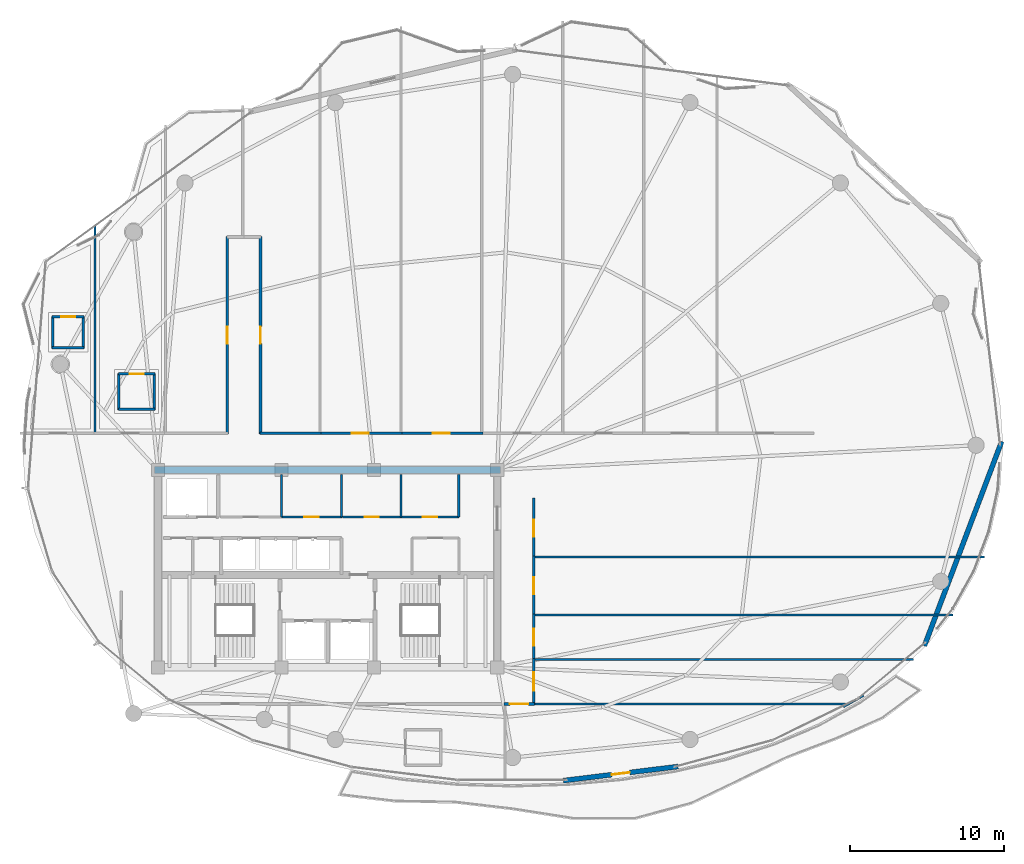
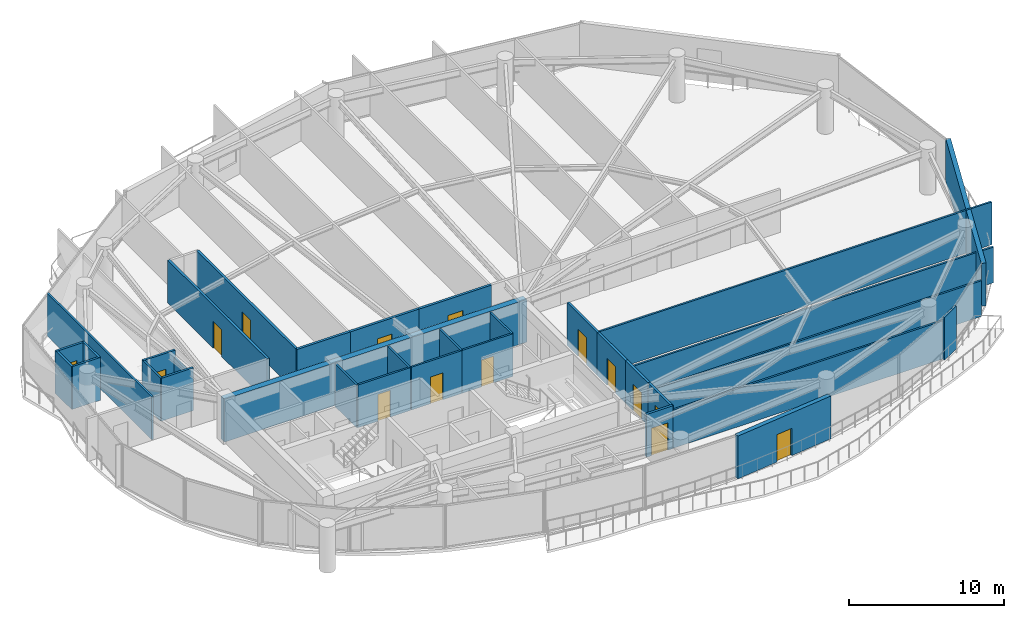
# One storey, part 26 of 31: 34 walls, 15 doors, 15 openings.
"""IFC4 building model written with IfcOpenShell, lengths in metres."""

from ifc_helpers import new_model, si_unit, direction, frame, frame_2d, origin, place, context, subcontext, project, spatial, rectangle, extrude, material, layer, layer_set, type_object, element, fill, save


model = new_model("IFC4")

# Units and contexts
model_context = context("Model", 3, precision=1e-05, world=origin(), true_north=direction((0.0, 1.0)))
body_context = subcontext(model_context, "Body", "Model", "MODEL_VIEW")
ifc_project = project(units=[si_unit("LENGTHUNIT", "METRE"), si_unit("AREAUNIT", "SQUARE_METRE"), si_unit("VOLUMEUNIT", "CUBIC_METRE"), si_unit("PLANEANGLEUNIT", "RADIAN"), si_unit("MASSUNIT", "GRAM", prefix="KILO")], contexts=[model_context])

# Site, building, storey
site_placement = place(None, origin())
site = spatial("IfcSite", under=ifc_project, at=site_placement, CompositionType="ELEMENT")
building_placement = place(site_placement, origin())
building = spatial("IfcBuilding", under=site, at=building_placement, Name="Kazevale Care Tower and Concert Hall", CompositionType="ELEMENT")
storey_placement = place(building_placement, frame((0.0, 0.0, 235.199951171875)))
storey = spatial("IfcBuildingStorey", under=building, at=storey_placement, Name="L62", CompositionType="ELEMENT", Elevation=235.199951171875)

# Wall, opening, door
ifc_material_1 = material(Name="Acoustic Gypsum on Steel Stud", Category="steel")
ifc_layer_1 = layer(ifc_material_1, 0.139892578125)
ifc_layer_set_1 = layer_set([ifc_layer_1], Name="Acoustic Gypsum on Steel Stud")
wall_type_1 = type_object("IfcWallType", Name="Acoustic Care & Suite Partition 140", PredefinedType="PARTITIONING", material=ifc_layer_set_1)
wall_1_placement = place(storey_placement, frame((30.0, 33.35009765625, 0.0), z_axis=(0.0, 0.0, 1.0), x_axis=(1.0, 0.0, 0.0)))
wall_1 = element("IfcWall", 1, at=wall_1_placement, inside=storey, type_object=wall_type_1, Name="wall:L62:c_rpl2_s", PredefinedType="PARTITIONING", context=body_context, shape_type="SweptSolid", body=[
    extrude(rectangle(XDim=3.919921875, YDim=0.139892578125, at=frame_2d((1.9599609375, 0.0))), origin(), (0.0, 0.0, 1.0), 3.360107421875),
])
opening_1_placement = place(wall_1_placement, frame((1.5, 0.0, 0.0)))
opening_1 = element("IfcOpeningElement", 2, at=opening_1_placement, cuts=wall_1, Name="Opening ID-900", PredefinedType="OPENING", context=body_context, shape_type="SweptSolid", body=[
    extrude(rectangle(XDim=0.919921875, YDim=2.10009765625, at=frame_2d((0.4599609375, 1.050048828125))), frame((0.0, 0.079833984375, 0.0), z_axis=(0.0, -1.0, 0.0), x_axis=(1.0, 0.0, 0.0)), (0.0, 0.0, 1.0), 0.159912109375),
])
ifc_material_2 = material(Name="Oak Timber Fire Leaf", Category="wood")
door_type_1 = type_object("IfcDoorType", Name="Bathroom & Service Door 920x2100", OperationType="NOTDEFINED", PredefinedType="DOOR", material=ifc_material_2)
door_1_placement = place(opening_1_placement, origin())
door_1 = element("IfcDoor", 3, at=door_1_placement, inside=storey, type_object=door_type_1, Name="door:L62:d_rpl2", OperationType="SINGLE_SWING_RIGHT", OverallHeight=2.10009765625, OverallWidth=0.919921875, PredefinedType="DOOR", context=body_context, shape_type="SweptSolid", body=[
    extrude(rectangle(XDim=0.919921875, YDim=2.10009765625, at=frame_2d((0.4599609375, 1.050048828125))), frame((0.0, 0.02490234375, 0.0), z_axis=(0.0, -1.0, 0.0), x_axis=(1.0, 0.0, 0.0)), (0.0, 0.0, 1.0), 0.050048828125),
])
fill(opening_1, door_1)

# Walls
for number, where, z_axis, x_axis, name in (
    (4, (30.0, 33.35009765625, 0.0), (0.0, 0.0, 1.0), (0.0, 1.0, 0.0), "wall:L62:c_rpl_m"),
    (5, (33.89990234375, 33.35009765625, 0.0), (0.0, 0.0, 1.0), (0.0, 1.0, 0.0), "wall:L62:c_rpl_e"),
):
    element("IfcWall", number, at=place(storey_placement, frame(where, z_axis=z_axis, x_axis=x_axis)), inside=storey, type_object=wall_type_1, Name=name, PredefinedType="PARTITIONING", context=body_context, shape_type="SweptSolid", body=[
        extrude(rectangle(XDim=2.75, YDim=0.139892578125, at=frame_2d((1.375, 0.0))), origin(), (0.0, 0.0, 1.0), 3.360107421875),
    ])

# Wall, opening, door
wall_2_placement = place(storey_placement, frame((33.97998046875, 33.35009765625, 0.0), z_axis=(0.0, 0.0, 1.0), x_axis=(1.0, 0.0, 0.0)))
wall_2 = element("IfcWall", 6, at=wall_2_placement, inside=storey, type_object=wall_type_1, Name="wall:L62:c_rpm1_s", PredefinedType="PARTITIONING", context=body_context, shape_type="SweptSolid", body=[
    extrude(rectangle(XDim=3.77001953125, YDim=0.139892578125, at=frame_2d((1.885009765625, 0.0))), origin(), (0.0, 0.0, 1.0), 3.360107421875),
])
opening_2_placement = place(wall_2_placement, frame((1.425048828125, 0.0, 0.0)))
opening_2 = element("IfcOpeningElement", 7, at=opening_2_placement, cuts=wall_2, Name="Opening ID-900", PredefinedType="OPENING", context=body_context, shape_type="SweptSolid", body=[
    extrude(rectangle(XDim=0.919921875, YDim=2.10009765625, at=frame_2d((0.4599609375, 1.050048828125))), frame((0.0, 0.079833984375, 0.0), z_axis=(0.0, -1.0, 0.0), x_axis=(1.0, 0.0, 0.0)), (0.0, 0.0, 1.0), 0.159912109375),
])
door_2_placement = place(opening_2_placement, origin())
door_2 = element("IfcDoor", 8, at=door_2_placement, inside=storey, type_object=door_type_1, Name="door:L62:d_rpm1", OperationType="SINGLE_SWING_LEFT", OverallHeight=2.10009765625, OverallWidth=0.919921875, PredefinedType="DOOR", context=body_context, shape_type="SweptSolid", body=[
    extrude(rectangle(XDim=0.919921875, YDim=2.10009765625, at=frame_2d((0.4599609375, 1.050048828125))), frame((0.0, 0.02490234375, 0.0), z_axis=(0.0, -1.0, 0.0), x_axis=(1.0, 0.0, 0.0)), (0.0, 0.0, 1.0), 0.050048828125),
])
fill(opening_2, door_2)

wall_3_placement = place(storey_placement, frame((37.75, 33.35009765625, 0.0), z_axis=(0.0, 0.0, 1.0), x_axis=(1.0, 0.0, 0.0)))
wall_3 = element("IfcWall", 9, at=wall_3_placement, inside=storey, type_object=wall_type_1, Name="wall:L62:c_rpm2_s", PredefinedType="PARTITIONING", context=body_context, shape_type="SweptSolid", body=[
    extrude(rectangle(XDim=3.77001953125, YDim=0.139892578125, at=frame_2d((1.885009765625, 0.0))), origin(), (0.0, 0.0, 1.0), 3.360107421875),
])
opening_3_placement = place(wall_3_placement, frame((1.425048828125, 0.0, 0.0)))
opening_3 = element("IfcOpeningElement", 10, at=opening_3_placement, cuts=wall_3, Name="Opening ID-900", PredefinedType="OPENING", context=body_context, shape_type="SweptSolid", body=[
    extrude(rectangle(XDim=0.919921875, YDim=2.10009765625, at=frame_2d((0.4599609375, 1.050048828125))), frame((0.0, 0.079833984375, 0.0), z_axis=(0.0, -1.0, 0.0), x_axis=(1.0, 0.0, 0.0)), (0.0, 0.0, 1.0), 0.159912109375),
])
door_3_placement = place(opening_3_placement, origin())
door_3 = element("IfcDoor", 11, at=door_3_placement, inside=storey, type_object=door_type_1, Name="door:L62:d_rpm2", OperationType="SINGLE_SWING_RIGHT", OverallHeight=2.10009765625, OverallWidth=0.919921875, PredefinedType="DOOR", context=body_context, shape_type="SweptSolid", body=[
    extrude(rectangle(XDim=0.919921875, YDim=2.10009765625, at=frame_2d((0.4599609375, 1.050048828125))), frame((0.0, 0.02490234375, 0.0), z_axis=(0.0, -1.0, 0.0), x_axis=(1.0, 0.0, 0.0)), (0.0, 0.0, 1.0), 0.050048828125),
])
fill(opening_3, door_3)

# Walls
for number, where, z_axis, x_axis, name in (
    (12, (37.75, 33.35009765625, 0.0), (0.0, 0.0, 1.0), (0.0, 1.0, 0.0), "wall:L62:c_rpm_m"),
    (13, (41.5, 33.35009765625, 0.0), (0.0, 0.0, 1.0), (0.0, 1.0, 0.0), "wall:L62:c_rpm_e"),
):
    element("IfcWall", number, at=place(storey_placement, frame(where, z_axis=z_axis, x_axis=x_axis)), inside=storey, type_object=wall_type_1, Name=name, PredefinedType="PARTITIONING", context=body_context, shape_type="SweptSolid", body=[
        extrude(rectangle(XDim=2.75, YDim=0.139892578125, at=frame_2d((1.375, 0.0))), origin(), (0.0, 0.0, 1.0), 3.360107421875),
    ])
wall_4_placement = place(storey_placement, frame((17.919921875, 52.222412109375, 0.0), z_axis=(0.0, 0.0, 1.0), x_axis=(0.0, -1.0, 0.0)))
element("IfcWall", 14, at=wall_4_placement, inside=storey, type_object=wall_type_1, Name="wall:L62:auto_023", PredefinedType="PARTITIONING", context=body_context, shape_type="SweptSolid", body=[
    extrude(rectangle(XDim=13.477294921875, YDim=0.139892578125, at=frame_2d((6.73876953125, 0.0))), origin(), (0.0, 0.0, 1.0), 3.360107421875),
])
wall_5_placement = place(storey_placement, frame((46.344970703125, 24.110107421875, 0.0), z_axis=(0.0, 0.0, 1.0), x_axis=(1.0, 0.0, 0.0)))
element("IfcWall", 15, at=wall_5_placement, inside=storey, type_object=wall_type_1, Name="wall:L62:auto_032", PredefinedType="PARTITIONING", context=body_context, shape_type="SweptSolid", body=[
    extrude(rectangle(XDim=24.655029296875, YDim=0.139892578125, at=frame_2d((12.32763671875, 0.0))), origin(), (0.0, 0.0, 1.0), 2.80615234375),
])
wall_6_placement = place(storey_placement, frame((66.683837890625, 21.22509765625, 0.0), z_axis=(0.0, 0.0, 1.0), x_axis=(-1.0, 0.0, 0.0)))
element("IfcWall", 16, at=wall_6_placement, inside=storey, type_object=wall_type_1, Name="wall:L62:auto_033", PredefinedType="PARTITIONING", context=body_context, shape_type="SweptSolid", body=[
    extrude(rectangle(XDim=20.3388671875, YDim=0.139892578125, at=frame_2d((10.16943359375, 0.0))), origin(), (0.0, 0.0, 1.0), 2.99609375),
])
wall_7_placement = place(storey_placement, frame((67.748046875, 21.77001953125, 0.0), z_axis=(0.0, 0.0, 1.0), x_axis=(-0.871352238731, -0.490658003153, 0.0)))
element("IfcWall", 17, at=wall_7_placement, inside=storey, type_object=wall_type_1, Name="wall:L62:auto_034", PredefinedType="PARTITIONING", context=body_context, shape_type="SweptSolid", body=[
    extrude(rectangle(XDim=1.48974609375, YDim=0.139892578125, at=frame_2d((0.744873046875, 0.0))), origin(), (0.0, 0.0, 1.0), 3.360107421875),
])
wall_8_placement = place(storey_placement, frame((46.344970703125, 27.0, 0.0), z_axis=(0.0, 0.0, 1.0), x_axis=(1.0, 0.0, 0.0)))
element("IfcWall", 18, at=wall_8_placement, inside=storey, type_object=wall_type_1, Name="wall:L62:auto_035", PredefinedType="PARTITIONING", context=body_context, shape_type="SweptSolid", body=[
    extrude(rectangle(XDim=27.208984375, YDim=0.139892578125, at=frame_2d((13.6044921875, 0.0))), origin(), (0.0, 0.0, 1.0), 2.80615234375),
])
wall_9_placement = place(storey_placement, frame((46.344970703125, 30.75, 0.0), z_axis=(0.0, 0.0, 1.0), x_axis=(1.0, 0.0, 0.0)))
element("IfcWall", 19, at=wall_9_placement, inside=storey, type_object=wall_type_1, Name="wall:L62:auto_036", PredefinedType="PARTITIONING", context=body_context, shape_type="SweptSolid", body=[
    extrude(rectangle(XDim=29.237060546875, YDim=0.139892578125, at=frame_2d((14.61865234375, 0.0))), origin(), (0.0, 0.0, 1.0), 3.360107421875),
])
ifc_material_3 = material(Name="Concrete C50", Category="concrete")
ifc_layer_2 = layer(ifc_material_3, 0.449951171875)
ifc_layer_set_2 = layer_set([ifc_layer_2], Name="Concrete C50")
wall_type_2 = type_object("IfcWallType", Name="Core Shear Wall 450 C50", PredefinedType="SHEAR", material=ifc_layer_set_2)
wall_10_placement = place(storey_placement, frame((21.77490234375, 36.39990234375, 0.0), z_axis=(0.0, 0.0, 1.0), x_axis=(1.0, 0.0, 0.0)))
element("IfcWall", 20, at=wall_10_placement, inside=storey, type_object=wall_type_2, Name="wall:L62:core:N", PredefinedType="SHEAR", context=body_context, shape_type="SweptSolid", body=[
    extrude(rectangle(XDim=22.4501953125, YDim=0.449951171875, at=frame_2d((11.22509765625, 0.0))), origin(), (0.0, 0.0, 1.0), 3.360107421875),
])

# Wall, opening, door
ifc_material_4 = material(Name="Concrete C40 and Acoustic Gypsum", Category="concrete")
ifc_layer_3 = layer(ifc_material_4, 0.179931640625)
ifc_layer_set_3 = layer_set([ifc_layer_3], Name="Concrete C40 and Acoustic Gypsum")
wall_type_3 = type_object("IfcWallType", Name="Fire-Rated Corridor & Party Wall 180", PredefinedType="PARTITIONING", material=ifc_layer_set_3)
wall_11_placement = place(storey_placement, frame((26.5, 38.7451171875, 0.0), z_axis=(0.0, 0.0, 1.0), x_axis=(0.0, 1.0, 0.0)))
wall_11 = element("IfcWall", 21, at=wall_11_placement, inside=storey, type_object=wall_type_3, Name="wall:L62:auto_003", PredefinedType="PARTITIONING", context=body_context, shape_type="SweptSolid", body=[
    extrude(rectangle(XDim=12.784912109375, YDim=0.179931640625, at=frame_2d((6.392578125, 0.0))), origin(), (0.0, 0.0, 1.0), 3.360107421875),
])
opening_4_placement = place(wall_11_placement, frame((5.843017578125, 0.0, 0.0)))
opening_4 = element("IfcOpeningElement", 22, at=opening_4_placement, cuts=wall_11, Name="Opening ID-1100", PredefinedType="OPENING", context=body_context, shape_type="SweptSolid", body=[
    extrude(rectangle(XDim=1.10009765625, YDim=2.10009765625, at=frame_2d((0.550048828125, 1.050048828125))), frame((0.0, 0.099853515625, 0.0), z_axis=(0.0, -1.0, 0.0), x_axis=(1.0, 0.0, 0.0)), (0.0, 0.0, 1.0), 0.199951171875),
])
door_type_2 = type_object("IfcDoorType", Name="Care Bedroom Accessible Door 1100x2100", OperationType="NOTDEFINED", PredefinedType="DOOR", material=ifc_material_2)
door_4_placement = place(opening_4_placement, origin())
door_4 = element("IfcDoor", 23, at=door_4_placement, inside=storey, type_object=door_type_2, Name="door:L62:ad_003", OperationType="SINGLE_SWING_LEFT", OverallHeight=2.10009765625, OverallWidth=1.10009765625, PredefinedType="DOOR", context=body_context, shape_type="SweptSolid", body=[
    extrude(rectangle(XDim=1.10009765625, YDim=2.10009765625, at=frame_2d((0.550048828125, 1.050048828125))), frame((0.0, 0.02490234375, 0.0), z_axis=(0.0, -1.0, 0.0), x_axis=(1.0, 0.0, 0.0)), (0.0, 0.0, 1.0), 0.050048828125),
])
fill(opening_4, door_4)

wall_12_placement = place(storey_placement, frame((28.64990234375, 51.530029296875, 0.0), z_axis=(0.0, 0.0, 1.0), x_axis=(0.0, -1.0, 0.0)))
wall_12 = element("IfcWall", 24, at=wall_12_placement, inside=storey, type_object=wall_type_3, Name="wall:L62:auto_006", PredefinedType="PARTITIONING", context=body_context, shape_type="SweptSolid", body=[
    extrude(rectangle(XDim=12.784912109375, YDim=0.179931640625, at=frame_2d((6.392578125, 0.0))), origin(), (0.0, 0.0, 1.0), 3.360107421875),
])
opening_5_placement = place(wall_12_placement, frame((5.843017578125, 0.0, 0.0)))
opening_5 = element("IfcOpeningElement", 25, at=opening_5_placement, cuts=wall_12, Name="Opening ID-1100", PredefinedType="OPENING", context=body_context, shape_type="SweptSolid", body=[
    extrude(rectangle(XDim=1.10009765625, YDim=2.10009765625, at=frame_2d((0.550048828125, 1.050048828125))), frame((0.0, 0.099853515625, 0.0), z_axis=(0.0, -1.0, 0.0), x_axis=(1.0, 0.0, 0.0)), (0.0, 0.0, 1.0), 0.199951171875),
])
door_5_placement = place(opening_5_placement, origin())
door_5 = element("IfcDoor", 26, at=door_5_placement, inside=storey, type_object=door_type_2, Name="door:L62:ad_006", OperationType="SINGLE_SWING_LEFT", OverallHeight=2.10009765625, OverallWidth=1.10009765625, PredefinedType="DOOR", context=body_context, shape_type="SweptSolid", body=[
    extrude(rectangle(XDim=1.10009765625, YDim=2.10009765625, at=frame_2d((0.550048828125, 1.050048828125))), frame((0.0, 0.02490234375, 0.0), z_axis=(0.0, -1.0, 0.0), x_axis=(1.0, 0.0, 0.0)), (0.0, 0.0, 1.0), 0.050048828125),
])
fill(opening_5, door_5)

# Wall
wall_13_placement = place(storey_placement, frame((28.6201171875, 38.77490234375, 0.0), z_axis=(0.0, 0.0, 1.0), x_axis=(1.0, 0.0, 0.0)))
element("IfcWall", 27, at=wall_13_placement, inside=storey, type_object=wall_type_3, Name="wall:L62:auto_007", PredefinedType="PARTITIONING", context=body_context, shape_type="SweptSolid", body=[
    extrude(rectangle(XDim=3.94482421875, YDim=0.179931640625, at=frame_2d((1.972412109375, 0.0))), origin(), (0.0, 0.0, 1.0), 3.360107421875),
])

# Wall, opening, door
wall_14_placement = place(storey_placement, frame((32.43505859375, 38.77490234375, 0.0), z_axis=(0.0, 0.0, 1.0), x_axis=(1.0, 0.0, 0.0)))
wall_14 = element("IfcWall", 28, at=wall_14_placement, inside=storey, type_object=wall_type_3, Name="wall:L62:auto_009", PredefinedType="PARTITIONING", context=body_context, shape_type="SweptSolid", body=[
    extrude(rectangle(XDim=5.3798828125, YDim=0.179931640625, at=frame_2d((2.68994140625, 0.0))), origin(), (0.0, 0.0, 1.0), 3.360107421875),
])
opening_6_placement = place(wall_14_placement, frame((2.139892578125, 0.0, 0.0)))
opening_6 = element("IfcOpeningElement", 29, at=opening_6_placement, cuts=wall_14, Name="Opening ID-1100", PredefinedType="OPENING", context=body_context, shape_type="SweptSolid", body=[
    extrude(rectangle(XDim=1.10009765625, YDim=2.10009765625, at=frame_2d((0.550048828125, 1.050048828125))), frame((0.0, 0.099853515625, 0.0), z_axis=(0.0, -1.0, 0.0), x_axis=(1.0, 0.0, 0.0)), (0.0, 0.0, 1.0), 0.199951171875),
])
door_6_placement = place(opening_6_placement, origin())
door_6 = element("IfcDoor", 30, at=door_6_placement, inside=storey, type_object=door_type_2, Name="door:L62:ad_009", OperationType="SINGLE_SWING_LEFT", OverallHeight=2.10009765625, OverallWidth=1.10009765625, PredefinedType="DOOR", context=body_context, shape_type="SweptSolid", body=[
    extrude(rectangle(XDim=1.10009765625, YDim=2.10009765625, at=frame_2d((0.550048828125, 1.050048828125))), frame((0.0, 0.02490234375, 0.0), z_axis=(0.0, -1.0, 0.0), x_axis=(1.0, 0.0, 0.0)), (0.0, 0.0, 1.0), 0.050048828125),
])
fill(opening_6, door_6)

wall_15_placement = place(storey_placement, frame((37.68505859375, 38.77490234375, 0.0), z_axis=(0.0, 0.0, 1.0), x_axis=(1.0, 0.0, 0.0)))
wall_15 = element("IfcWall", 31, at=wall_15_placement, inside=storey, type_object=wall_type_3, Name="wall:L62:auto_010", PredefinedType="PARTITIONING", context=body_context, shape_type="SweptSolid", body=[
    extrude(rectangle(XDim=5.3798828125, YDim=0.179931640625, at=frame_2d((2.68994140625, 0.0))), origin(), (0.0, 0.0, 1.0), 3.360107421875),
])
opening_7_placement = place(wall_15_placement, frame((2.139892578125, 0.0, 0.0)))
opening_7 = element("IfcOpeningElement", 32, at=opening_7_placement, cuts=wall_15, Name="Opening ID-1100", PredefinedType="OPENING", context=body_context, shape_type="SweptSolid", body=[
    extrude(rectangle(XDim=1.10009765625, YDim=2.10009765625, at=frame_2d((0.550048828125, 1.050048828125))), frame((0.0, 0.099853515625, 0.0), z_axis=(0.0, -1.0, 0.0), x_axis=(1.0, 0.0, 0.0)), (0.0, 0.0, 1.0), 0.199951171875),
])
door_7_placement = place(opening_7_placement, origin())
door_7 = element("IfcDoor", 33, at=door_7_placement, inside=storey, type_object=door_type_2, Name="door:L62:ad_010", OperationType="SINGLE_SWING_LEFT", OverallHeight=2.10009765625, OverallWidth=1.10009765625, PredefinedType="DOOR", context=body_context, shape_type="SweptSolid", body=[
    extrude(rectangle(XDim=1.10009765625, YDim=2.10009765625, at=frame_2d((0.550048828125, 1.050048828125))), frame((0.0, 0.02490234375, 0.0), z_axis=(0.0, -1.0, 0.0), x_axis=(1.0, 0.0, 0.0)), (0.0, 0.0, 1.0), 0.050048828125),
])
fill(opening_7, door_7)

wall_16_placement = place(storey_placement, frame((46.375, 24.175048828125, 0.0), z_axis=(0.0, 0.0, 1.0), x_axis=(0.0, -1.0, 0.0)))
wall_16 = element("IfcWall", 34, at=wall_16_placement, inside=storey, type_object=wall_type_3, Name="wall:L62:auto_015", PredefinedType="PARTITIONING", context=body_context, shape_type="SweptSolid", body=[
    extrude(rectangle(XDim=2.97998046875, YDim=0.179931640625, at=frame_2d((1.489990234375, 0.0))), origin(), (0.0, 0.0, 1.0), 3.360107421875),
])
opening_8_placement = place(wall_16_placement, frame((0.889892578125, 0.0, 0.0)))
opening_8 = element("IfcOpeningElement", 35, at=opening_8_placement, cuts=wall_16, Name="Opening ID-1200", PredefinedType="OPENING", context=body_context, shape_type="SweptSolid", body=[
    extrude(rectangle(XDim=1.199951171875, YDim=2.14990234375, at=frame_2d((0.60009765625, 1.074951171875))), frame((0.0, 0.099853515625, 0.0), z_axis=(0.0, -1.0, 0.0), x_axis=(1.0, 0.0, 0.0)), (0.0, 0.0, 1.0), 0.199951171875),
])
door_type_3 = type_object("IfcDoorType", Name="Clinical & Therapy Door 1200x2150", OperationType="NOTDEFINED", PredefinedType="DOOR", material=ifc_material_2)
door_8_placement = place(opening_8_placement, origin())
door_8 = element("IfcDoor", 36, at=door_8_placement, inside=storey, type_object=door_type_3, Name="door:L62:ad_015", OperationType="SINGLE_SWING_LEFT", OverallHeight=2.14990234375, OverallWidth=1.199951171875, PredefinedType="DOOR", context=body_context, shape_type="SweptSolid", body=[
    extrude(rectangle(XDim=1.199951171875, YDim=2.14990234375, at=frame_2d((0.60009765625, 1.074951171875))), frame((0.0, 0.02490234375, 0.0), z_axis=(0.0, -1.0, 0.0), x_axis=(1.0, 0.0, 0.0)), (0.0, 0.0, 1.0), 0.050048828125),
])
fill(opening_8, door_8)

wall_17_placement = place(storey_placement, frame((46.375, 27.06494140625, 0.0), z_axis=(0.0, 0.0, 1.0), x_axis=(0.0, -1.0, 0.0)))
wall_17 = element("IfcWall", 37, at=wall_17_placement, inside=storey, type_object=wall_type_3, Name="wall:L62:auto_016", PredefinedType="PARTITIONING", context=body_context, shape_type="SweptSolid", body=[
    extrude(rectangle(XDim=3.02001953125, YDim=0.179931640625, at=frame_2d((1.510009765625, 0.0))), origin(), (0.0, 0.0, 1.0), 3.360107421875),
])
opening_9_placement = place(wall_17_placement, frame((0.9599609375, 0.0, 0.0)))
opening_9 = element("IfcOpeningElement", 38, at=opening_9_placement, cuts=wall_17, Name="Opening ID-1100", PredefinedType="OPENING", context=body_context, shape_type="SweptSolid", body=[
    extrude(rectangle(XDim=1.10009765625, YDim=2.10009765625, at=frame_2d((0.550048828125, 1.050048828125))), frame((0.0, 0.099853515625, 0.0), z_axis=(0.0, -1.0, 0.0), x_axis=(1.0, 0.0, 0.0)), (0.0, 0.0, 1.0), 0.199951171875),
])
door_9_placement = place(opening_9_placement, origin())
door_9 = element("IfcDoor", 39, at=door_9_placement, inside=storey, type_object=door_type_2, Name="door:L62:ad_016", OperationType="SINGLE_SWING_LEFT", OverallHeight=2.10009765625, OverallWidth=1.10009765625, PredefinedType="DOOR", context=body_context, shape_type="SweptSolid", body=[
    extrude(rectangle(XDim=1.10009765625, YDim=2.10009765625, at=frame_2d((0.550048828125, 1.050048828125))), frame((0.0, 0.02490234375, 0.0), z_axis=(0.0, -1.0, 0.0), x_axis=(1.0, 0.0, 0.0)), (0.0, 0.0, 1.0), 0.050048828125),
])
fill(opening_9, door_9)

wall_18_placement = place(storey_placement, frame((46.375, 30.81494140625, 0.0), z_axis=(0.0, 0.0, 1.0), x_axis=(0.0, -1.0, 0.0)))
wall_18 = element("IfcWall", 40, at=wall_18_placement, inside=storey, type_object=wall_type_3, Name="wall:L62:auto_017", PredefinedType="PARTITIONING", context=body_context, shape_type="SweptSolid", body=[
    extrude(rectangle(XDim=3.8798828125, YDim=0.179931640625, at=frame_2d((1.93994140625, 0.0))), origin(), (0.0, 0.0, 1.0), 3.360107421875),
])
opening_10_placement = place(wall_18_placement, frame((1.389892578125, 0.0, 0.0)))
opening_10 = element("IfcOpeningElement", 41, at=opening_10_placement, cuts=wall_18, Name="Opening ID-1100", PredefinedType="OPENING", context=body_context, shape_type="SweptSolid", body=[
    extrude(rectangle(XDim=1.10009765625, YDim=2.10009765625, at=frame_2d((0.550048828125, 1.050048828125))), frame((0.0, 0.099853515625, 0.0), z_axis=(0.0, -1.0, 0.0), x_axis=(1.0, 0.0, 0.0)), (0.0, 0.0, 1.0), 0.199951171875),
])
door_10_placement = place(opening_10_placement, origin())
door_10 = element("IfcDoor", 42, at=door_10_placement, inside=storey, type_object=door_type_2, Name="door:L62:ad_017", OperationType="SINGLE_SWING_LEFT", OverallHeight=2.10009765625, OverallWidth=1.10009765625, PredefinedType="DOOR", context=body_context, shape_type="SweptSolid", body=[
    extrude(rectangle(XDim=1.10009765625, YDim=2.10009765625, at=frame_2d((0.550048828125, 1.050048828125))), frame((0.0, 0.02490234375, 0.0), z_axis=(0.0, -1.0, 0.0), x_axis=(1.0, 0.0, 0.0)), (0.0, 0.0, 1.0), 0.050048828125),
])
fill(opening_10, door_10)

wall_19_placement = place(storey_placement, frame((46.375, 34.56494140625, 0.0), z_axis=(0.0, 0.0, 1.0), x_axis=(0.0, -1.0, 0.0)))
wall_19 = element("IfcWall", 43, at=wall_19_placement, inside=storey, type_object=wall_type_3, Name="wall:L62:auto_018", PredefinedType="PARTITIONING", context=body_context, shape_type="SweptSolid", body=[
    extrude(rectangle(XDim=3.8798828125, YDim=0.179931640625, at=frame_2d((1.93994140625, 0.0))), origin(), (0.0, 0.0, 1.0), 3.360107421875),
])
opening_11_placement = place(wall_19_placement, frame((1.389892578125, 0.0, 0.0)))
opening_11 = element("IfcOpeningElement", 44, at=opening_11_placement, cuts=wall_19, Name="Opening ID-1100", PredefinedType="OPENING", context=body_context, shape_type="SweptSolid", body=[
    extrude(rectangle(XDim=1.10009765625, YDim=2.10009765625, at=frame_2d((0.550048828125, 1.050048828125))), frame((0.0, 0.099853515625, 0.0), z_axis=(0.0, -1.0, 0.0), x_axis=(1.0, 0.0, 0.0)), (0.0, 0.0, 1.0), 0.199951171875),
])
door_11_placement = place(opening_11_placement, origin())
door_11 = element("IfcDoor", 45, at=door_11_placement, inside=storey, type_object=door_type_2, Name="door:L62:ad_018", OperationType="SINGLE_SWING_LEFT", OverallHeight=2.10009765625, OverallWidth=1.10009765625, PredefinedType="DOOR", context=body_context, shape_type="SweptSolid", body=[
    extrude(rectangle(XDim=1.10009765625, YDim=2.10009765625, at=frame_2d((0.550048828125, 1.050048828125))), frame((0.0, 0.02490234375, 0.0), z_axis=(0.0, -1.0, 0.0), x_axis=(1.0, 0.0, 0.0)), (0.0, 0.0, 1.0), 0.050048828125),
])
fill(opening_11, door_11)

wall_20_placement = place(storey_placement, frame((46.405029296875, 21.22509765625, 0.0), z_axis=(0.0, 0.0, 1.0), x_axis=(-1.0, 0.0, 0.0)))
wall_20 = element("IfcWall", 46, at=wall_20_placement, inside=storey, type_object=wall_type_3, Name="wall:L62:auto_021", PredefinedType="PARTITIONING", context=body_context, shape_type="SweptSolid", body=[
    extrude(rectangle(XDim=1.969970703125, YDim=0.179931640625, at=frame_2d((0.98486328125, 0.0))), origin(), (0.0, 0.0, 1.0), 3.360107421875),
])
opening_12_placement = place(wall_20_placement, frame((0.385009765625, 0.0, 0.0)))
opening_12 = element("IfcOpeningElement", 47, at=opening_12_placement, cuts=wall_20, Name="Opening ID-1200", PredefinedType="OPENING", context=body_context, shape_type="SweptSolid", body=[
    extrude(rectangle(XDim=1.199951171875, YDim=2.14990234375, at=frame_2d((0.60009765625, 1.074951171875))), frame((0.0, 0.099853515625, 0.0), z_axis=(0.0, -1.0, 0.0), x_axis=(1.0, 0.0, 0.0)), (0.0, 0.0, 1.0), 0.199951171875),
])
door_12_placement = place(opening_12_placement, origin())
door_12 = element("IfcDoor", 48, at=door_12_placement, inside=storey, type_object=door_type_3, Name="door:L62:ad_021", OperationType="SINGLE_SWING_LEFT", OverallHeight=2.14990234375, OverallWidth=1.199951171875, PredefinedType="DOOR", context=body_context, shape_type="SweptSolid", body=[
    extrude(rectangle(XDim=1.199951171875, YDim=2.14990234375, at=frame_2d((0.60009765625, 1.074951171875))), frame((0.0, 0.02490234375, 0.0), z_axis=(0.0, -1.0, 0.0), x_axis=(1.0, 0.0, 0.0)), (0.0, 0.0, 1.0), 0.050048828125),
])
fill(opening_12, door_12)

# Wall
ifc_layer_4 = layer(ifc_material_1, 0.159912109375)
ifc_layer_set_4 = layer_set([ifc_layer_4], Name="Acoustic Gypsum on Steel Stud")
wall_type_4 = type_object("IfcWallType", Name="Moisture-Resistant Bathroom Plumbing Wall 160", PredefinedType="PLUMBINGWALL", material=ifc_layer_set_4)
wall_21_placement = place(storey_placement, frame((15.1279296875, 44.324951171875, 0.0), z_axis=(0.0, 0.0, 1.0), x_axis=(1.0, 0.0, 0.0)))
element("IfcWall", 49, at=wall_21_placement, inside=storey, type_object=wall_type_4, Name="wall:L62:nb1a_ens_ws", PredefinedType="PLUMBINGWALL", context=body_context, shape_type="SweptSolid", body=[
    extrude(rectangle(XDim=2.080078125, YDim=0.159912109375, at=frame_2d((1.0400390625, 0.0))), origin(), (0.0, 0.0, 1.0), 3.360107421875),
])

# Wall, opening, door
wall_22_placement = place(storey_placement, frame((15.1279296875, 46.324951171875, 0.0), z_axis=(0.0, 0.0, 1.0), x_axis=(1.0, 0.0, 0.0)))
wall_22 = element("IfcWall", 50, at=wall_22_placement, inside=storey, type_object=wall_type_4, Name="wall:L62:nb1a_ens_wn", PredefinedType="PLUMBINGWALL", context=body_context, shape_type="SweptSolid", body=[
    extrude(rectangle(XDim=2.080078125, YDim=0.159912109375, at=frame_2d((1.0400390625, 0.0))), origin(), (0.0, 0.0, 1.0), 3.360107421875),
])
opening_13_placement = place(wall_22_placement, frame((0.590087890625, 0.0, 0.0)))
opening_13 = element("IfcOpeningElement", 51, at=opening_13_placement, cuts=wall_22, Name="Opening ID-900", PredefinedType="OPENING", context=body_context, shape_type="SweptSolid", body=[
    extrude(rectangle(XDim=0.919921875, YDim=2.10009765625, at=frame_2d((0.4599609375, 1.050048828125))), frame((0.0, 0.08984375, 0.0), z_axis=(0.0, -1.0, 0.0), x_axis=(1.0, 0.0, 0.0)), (0.0, 0.0, 1.0), 0.179931640625),
])
door_13_placement = place(opening_13_placement, origin())
door_13 = element("IfcDoor", 52, at=door_13_placement, inside=storey, type_object=door_type_1, Name="door:L62:nb1a_ens_d", OperationType="SINGLE_SWING_LEFT", OverallHeight=2.10009765625, OverallWidth=0.919921875, PredefinedType="DOOR", context=body_context, shape_type="SweptSolid", body=[
    extrude(rectangle(XDim=0.919921875, YDim=2.10009765625, at=frame_2d((0.4599609375, 1.050048828125))), frame((0.0, 0.02490234375, 0.0), z_axis=(0.0, -1.0, 0.0), x_axis=(1.0, 0.0, 0.0)), (0.0, 0.0, 1.0), 0.050048828125),
])
fill(opening_13, door_13)

# Walls
for number, where, z_axis, x_axis, name in (
    (53, (15.16796875, 44.284912109375, 0.0), (0.0, 0.0, 1.0), (0.0, 1.0, 0.0), "wall:L62:nb1a_ens_ww"),
    (54, (17.16796875, 44.284912109375, 0.0), (0.0, 0.0, 1.0), (0.0, 1.0, 0.0), "wall:L62:nb1a_ens_we"),
):
    element("IfcWall", number, at=place(storey_placement, frame(where, z_axis=z_axis, x_axis=x_axis)), inside=storey, type_object=wall_type_4, Name=name, PredefinedType="PLUMBINGWALL", context=body_context, shape_type="SweptSolid", body=[
        extrude(rectangle(XDim=2.080078125, YDim=0.159912109375, at=frame_2d((1.0400390625, 0.0))), origin(), (0.0, 0.0, 1.0), 3.360107421875),
    ])
wall_23_placement = place(storey_placement, frame((19.429931640625, 40.324951171875, 0.0), z_axis=(0.0, 0.0, 1.0), x_axis=(1.0, 0.0, 0.0)))
element("IfcWall", 55, at=wall_23_placement, inside=storey, type_object=wall_type_4, Name="wall:L62:nb1b_ens_ws", PredefinedType="PLUMBINGWALL", context=body_context, shape_type="SweptSolid", body=[
    extrude(rectangle(XDim=2.380126953125, YDim=0.159912109375, at=frame_2d((1.18994140625, 0.0))), origin(), (0.0, 0.0, 1.0), 3.360107421875),
])

# Wall, opening, door
wall_24_placement = place(storey_placement, frame((19.429931640625, 42.625, 0.0), z_axis=(0.0, 0.0, 1.0), x_axis=(1.0, 0.0, 0.0)))
wall_24 = element("IfcWall", 56, at=wall_24_placement, inside=storey, type_object=wall_type_4, Name="wall:L62:nb1b_ens_wn", PredefinedType="PLUMBINGWALL", context=body_context, shape_type="SweptSolid", body=[
    extrude(rectangle(XDim=2.380126953125, YDim=0.159912109375, at=frame_2d((1.18994140625, 0.0))), origin(), (0.0, 0.0, 1.0), 3.360107421875),
])
opening_14_placement = place(wall_24_placement, frame((0.739990234375, 0.0, 0.0)))
opening_14 = element("IfcOpeningElement", 57, at=opening_14_placement, cuts=wall_24, Name="Opening ID-900", PredefinedType="OPENING", context=body_context, shape_type="SweptSolid", body=[
    extrude(rectangle(XDim=0.919921875, YDim=2.10009765625, at=frame_2d((0.4599609375, 1.050048828125))), frame((0.0, 0.08984375, 0.0), z_axis=(0.0, -1.0, 0.0), x_axis=(1.0, 0.0, 0.0)), (0.0, 0.0, 1.0), 0.179931640625),
])
door_14_placement = place(opening_14_placement, origin())
door_14 = element("IfcDoor", 58, at=door_14_placement, inside=storey, type_object=door_type_1, Name="door:L62:nb1b_ens_d", OperationType="SINGLE_SWING_RIGHT", OverallHeight=2.10009765625, OverallWidth=0.919921875, PredefinedType="DOOR", context=body_context, shape_type="SweptSolid", body=[
    extrude(rectangle(XDim=0.919921875, YDim=2.10009765625, at=frame_2d((0.4599609375, 1.050048828125))), frame((0.0, 0.02490234375, 0.0), z_axis=(0.0, -1.0, 0.0), x_axis=(1.0, 0.0, 0.0)), (0.0, 0.0, 1.0), 0.050048828125),
])
fill(opening_14, door_14)

# Walls
wall_25_placement = place(storey_placement, frame((19.469970703125, 40.284912109375, 0.0), z_axis=(0.0, 0.0, 1.0), x_axis=(0.0, 1.0, 0.0)))
element("IfcWall", 59, at=wall_25_placement, inside=storey, type_object=wall_type_4, Name="wall:L62:nb1b_ens_ww", PredefinedType="PLUMBINGWALL", context=body_context, shape_type="SweptSolid", body=[
    extrude(rectangle(XDim=2.380126953125, YDim=0.159912109375, at=frame_2d((1.18994140625, 0.0))), origin(), (0.0, 0.0, 1.0), 3.360107421875),
])
wall_26_placement = place(storey_placement, frame((21.77001953125, 40.284912109375, 0.0), z_axis=(0.0, 0.0, 1.0), x_axis=(0.0, 1.0, 0.0)))
element("IfcWall", 60, at=wall_26_placement, inside=storey, type_object=wall_type_4, Name="wall:L62:nb1b_ens_we", PredefinedType="PLUMBINGWALL", context=body_context, shape_type="SweptSolid", body=[
    extrude(rectangle(XDim=2.380126953125, YDim=0.159912109375, at=frame_2d((1.18994140625, 0.0))), origin(), (0.0, 0.0, 1.0), 2.80615234375),
])
ifc_material_5 = material(Name="Concrete C40 with Honed Limestone Cladding", Category="masonry")
ifc_layer_5 = layer(ifc_material_5, 0.320068359375)
ifc_layer_set_5 = layer_set([ifc_layer_5], Name="Concrete C40 with Honed Limestone Cladding")
wall_type_5 = type_object("IfcWallType", Name="Tower Honed Limestone Spandrel Wall 320", PredefinedType="STANDARD", material=ifc_layer_set_5)
wall_27_placement = place(storey_placement, frame((76.7119140625, 38.242919921875, 0.0), z_axis=(0.0, 0.0, 1.0), x_axis=(-0.353659523244, -0.935374225441, 0.0)))
element("IfcWall", 61, at=wall_27_placement, inside=storey, type_object=wall_type_5, Name="wall:cw:L62:f01", PredefinedType="STANDARD", context=body_context, shape_type="SweptSolid", body=[
    extrude(rectangle(XDim=14.171630859375, YDim=0.320068359375, at=frame_2d((7.0859375, 0.0))), origin(), (0.0, 0.0, 1.0), 3.360107421875),
])

# Wall, opening, door
wall_28_placement = place(storey_placement, frame((55.72705078125, 17.1650390625, 0.0), z_axis=(0.0, 0.0, 1.0), x_axis=(-0.992559081031, -0.121763995755, 0.0)))
wall_28 = element("IfcWall", 62, at=wall_28_placement, inside=storey, type_object=wall_type_5, Name="wall:L62:bal_host", PredefinedType="STANDARD", context=body_context, shape_type="SweptSolid", body=[
    extrude(rectangle(XDim=7.49072265625, YDim=0.320068359375, at=frame_2d((3.745361328125, 0.0))), origin(), (0.0, 0.0, 1.0), 3.360107421875),
])
opening_15_placement = place(wall_28_placement, frame((3.14501953125, 0.0, 0.0)))
opening_15 = element("IfcOpeningElement", 63, at=opening_15_placement, cuts=wall_28, Name="Opening BD-1200", PredefinedType="OPENING", context=body_context, shape_type="SweptSolid", body=[
    extrude(rectangle(XDim=1.199951171875, YDim=2.14990234375, at=frame_2d((0.60009765625, 1.074951171875))), frame((0.0, 0.169921875, 0.0), z_axis=(0.0, -1.0, 0.0), x_axis=(1.0, 0.0, 0.0)), (0.0, 0.0, 1.0), 0.340087890625),
])
ifc_material_6 = material(Name="Aluminium 6063-T6 and Low-E Glass", Category="aluminium")
door_type_4 = type_object("IfcDoorType", Name="Sheltered Balcony Glazed Door 1200x2150", OperationType="NOTDEFINED", PredefinedType="DOOR", material=ifc_material_6)
door_15_placement = place(opening_15_placement, origin())
door_15 = element("IfcDoor", 64, at=door_15_placement, inside=storey, type_object=door_type_4, Name="door:L62:BD-1", OperationType="SINGLE_SWING_LEFT", OverallHeight=2.14990234375, OverallWidth=1.199951171875, PredefinedType="DOOR", context=body_context, shape_type="SweptSolid", body=[
    extrude(rectangle(XDim=1.199951171875, YDim=2.14990234375, at=frame_2d((0.60009765625, 1.074951171875))), frame((0.0, 0.02490234375, 0.0), z_axis=(0.0, -1.0, 0.0), x_axis=(1.0, 0.0, 0.0)), (0.0, 0.0, 1.0), 0.050048828125),
])
fill(opening_15, door_15)

save(model, "model.ifc")
